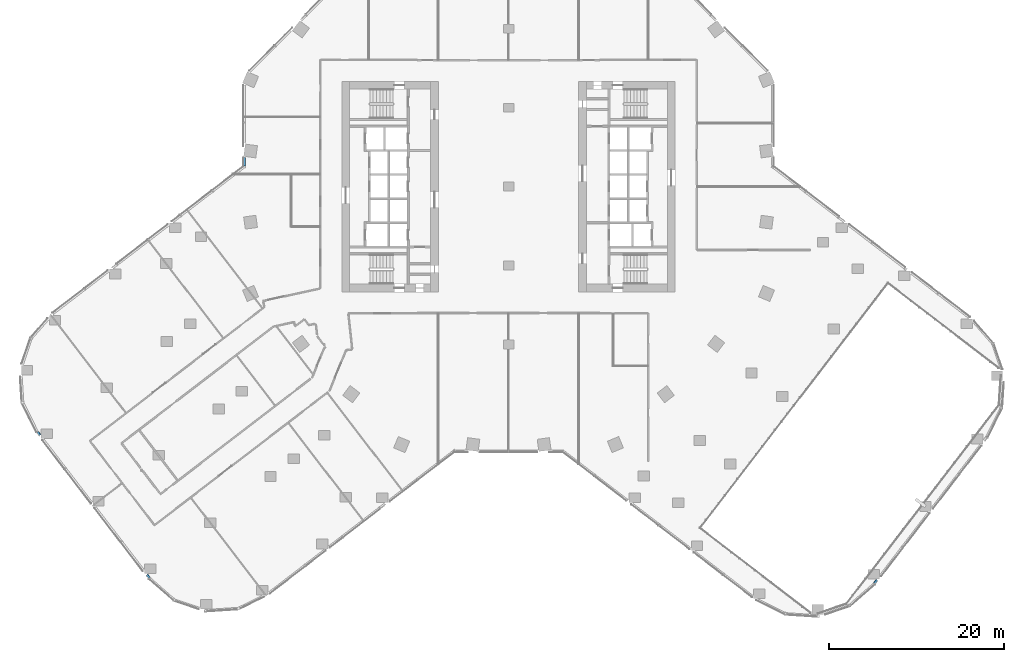
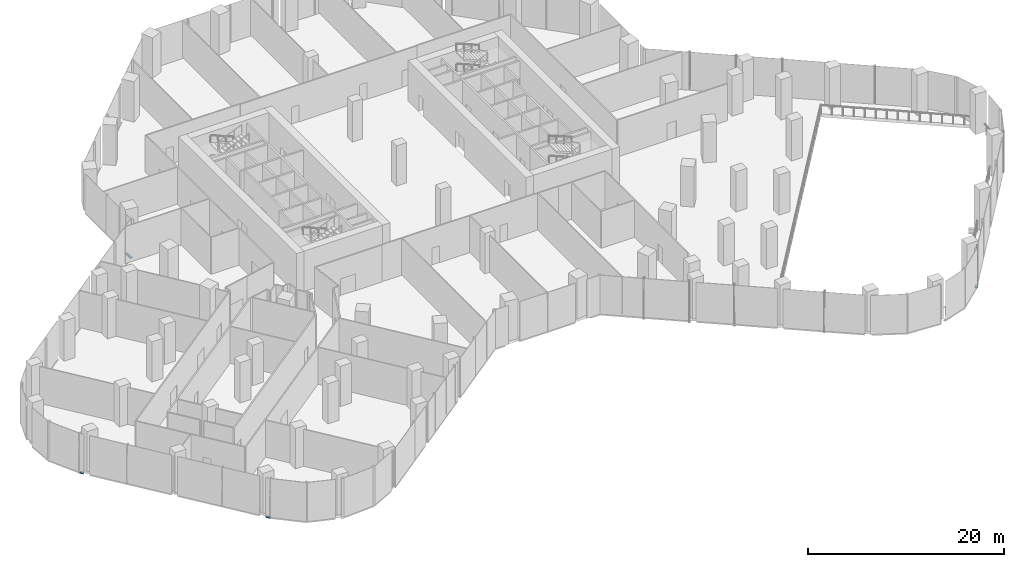
# One storey, part 12 of 29: 4 members, 3 elements without a shape of their own.
"""IFC4 building model written with IfcOpenShell, lengths in metres."""

from ifc_helpers import new_model, si_unit, direction, frame, origin, origin_2d, place, context, subcontext, project, spatial, rectangle, extrude, material, material_profile, profile_set, type_object, element, aggregate, save


model = new_model("IFC4")

# Units and contexts
model_context = context("Model", 3, precision=1e-05, world=origin(), true_north=direction((0.0, 1.0)))
body_context = subcontext(model_context, "Body", "Model", "MODEL_VIEW")
ifc_project = project(units=[si_unit("LENGTHUNIT", "METRE"), si_unit("AREAUNIT", "SQUARE_METRE"), si_unit("VOLUMEUNIT", "CUBIC_METRE"), si_unit("PLANEANGLEUNIT", "RADIAN"), si_unit("MASSUNIT", "GRAM", prefix="KILO")], contexts=[model_context])

# Site, building, storey
site_placement = place(None, origin())
site = spatial("IfcSite", under=ifc_project, at=site_placement, CompositionType="ELEMENT")
building_placement = place(site_placement, origin())
building = spatial("IfcBuilding", under=site, at=building_placement, Name="Orlundy Tower", CompositionType="ELEMENT")
storey_placement = place(building_placement, frame((0.0, 0.0, 15.5)))
storey = spatial("IfcBuildingStorey", under=building, at=storey_placement, Name="L02", CompositionType="ELEMENT", Elevation=15.5)

# Curtain wall, members
ifc_material_1 = material(Name="Aluminium bronze anodised", Category="aluminium")
curtain_wall_type = type_object("IfcCurtainWallType", Name="CW2 wall", PredefinedType="NOTDEFINED", material=ifc_material_1)
curtain_wall_1_placement = place(storey_placement, origin())
curtain_wall_1 = element("IfcCurtainWall", 1, at=curtain_wall_1_placement, inside=storey, type_object=curtain_wall_type, Name="CW2 run 07", PredefinedType="NOTDEFINED")
ifc_material_2 = material(Name="Aluminium bronze anodised", Category="aluminium")
ifc_material_profile = material_profile(ifc_material_2, rectangle(XDim=0.25, YDim=0.14990234375, at=origin_2d()), Name="CW2 transom 250x150")
ifc_profile_set = profile_set([ifc_material_profile], Name="Aluminium bronze anodised")
member_type = type_object("IfcMemberType", Name="CW2 transom 250x150", PredefinedType="USERDEFINED", material=ifc_profile_set)
member_1_placement = place(storey_placement, frame((-40.919921875, -44.617919921875, -0.324951171875), z_axis=(-0.608687084011, 0.79341038168, 0.0), x_axis=(-0.79341038168, -0.608687084011, 0.0)))
member_1 = element("IfcMember", 2, at=member_1_placement, type_object=member_type, Name="CW2 transom", ObjectType="TRANSOM", PredefinedType="USERDEFINED", context=body_context, shape_type="SweptSolid", body=[
    extrude(rectangle(XDim=0.25, YDim=0.14990234375, at=origin_2d()), origin(), (0.0, 0.0, 1.0), 0.461181640625),
])
member_2_placement = place(storey_placement, frame((-53.43310546875, -28.31005859375, -0.324951171875), z_axis=(-0.608810266529, 0.793315863556, 0.0), x_axis=(-0.793315863556, -0.608810266529, 0.0)))
member_2 = element("IfcMember", 3, at=member_2_placement, type_object=member_type, Name="CW2 transom", ObjectType="TRANSOM", PredefinedType="USERDEFINED", context=body_context, shape_type="SweptSolid", body=[
    extrude(rectangle(XDim=0.25, YDim=0.14990234375, at=origin_2d()), origin(), (0.0, 0.0, 1.0), 0.41943359375),
])
aggregate(curtain_wall_1, [member_1, member_2])

# Curtain wall, member
curtain_wall_2_placement = place(storey_placement, origin())
curtain_wall_2 = element("IfcCurtainWall", 4, at=curtain_wall_2_placement, inside=storey, type_object=curtain_wall_type, Name="CW2 run 013", PredefinedType="NOTDEFINED")
member_3_placement = place(storey_placement, frame((-30.125, 2.376708984375, -0.324951171875), z_axis=(0.0, 1.0, 0.0), x_axis=(-1.0, 0.0, 0.0)))
member_3 = element("IfcMember", 5, at=member_3_placement, type_object=member_type, Name="CW2 transom", ObjectType="TRANSOM", PredefinedType="USERDEFINED", context=body_context, shape_type="SweptSolid", body=[
    extrude(rectangle(XDim=0.25, YDim=0.14990234375, at=origin_2d()), origin(), (0.0, 0.0, 1.0), 0.92431640625),
])
aggregate(curtain_wall_2, [member_3])

curtain_wall_3_placement = place(storey_placement, origin())
curtain_wall_3 = element("IfcCurtainWall", 6, at=curtain_wall_3_placement, inside=storey, type_object=curtain_wall_type, Name="CW2 run 023", PredefinedType="NOTDEFINED")
member_4_placement = place(storey_placement, frame((41.99365234375, -44.860107421875, -0.324951171875), z_axis=(-0.608942775876, -0.79321415501, 0.0), x_axis=(0.79321415501, -0.608942775876, 0.0)))
member_4 = element("IfcMember", 7, at=member_4_placement, type_object=member_type, Name="CW2 transom", ObjectType="TRANSOM", PredefinedType="USERDEFINED", context=body_context, shape_type="SweptSolid", body=[
    extrude(rectangle(XDim=0.25, YDim=0.14990234375, at=origin_2d()), origin(), (0.0, 0.0, 1.0), 0.461181640625),
])
aggregate(curtain_wall_3, [member_4])

save(model, "model.ifc")
